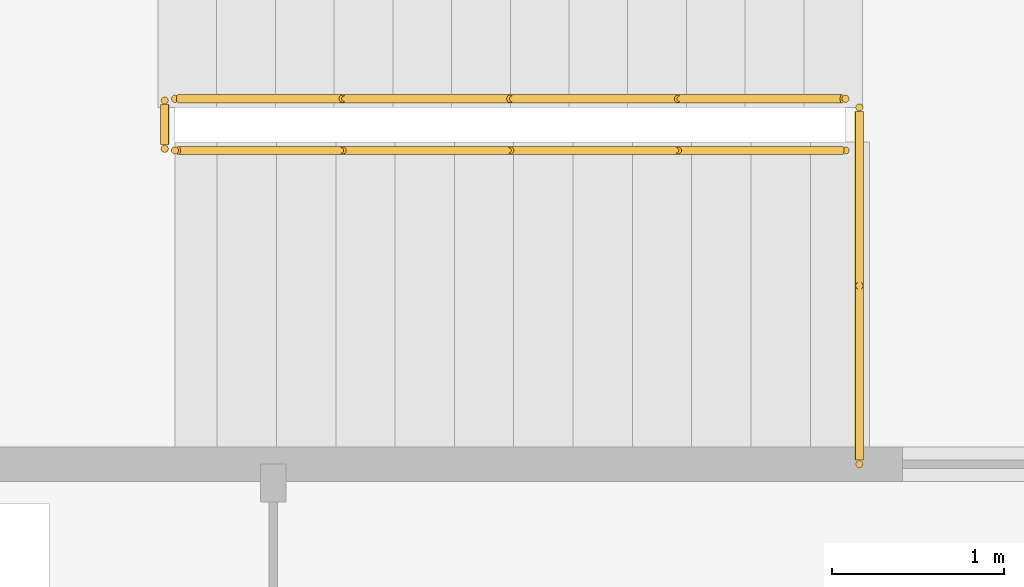
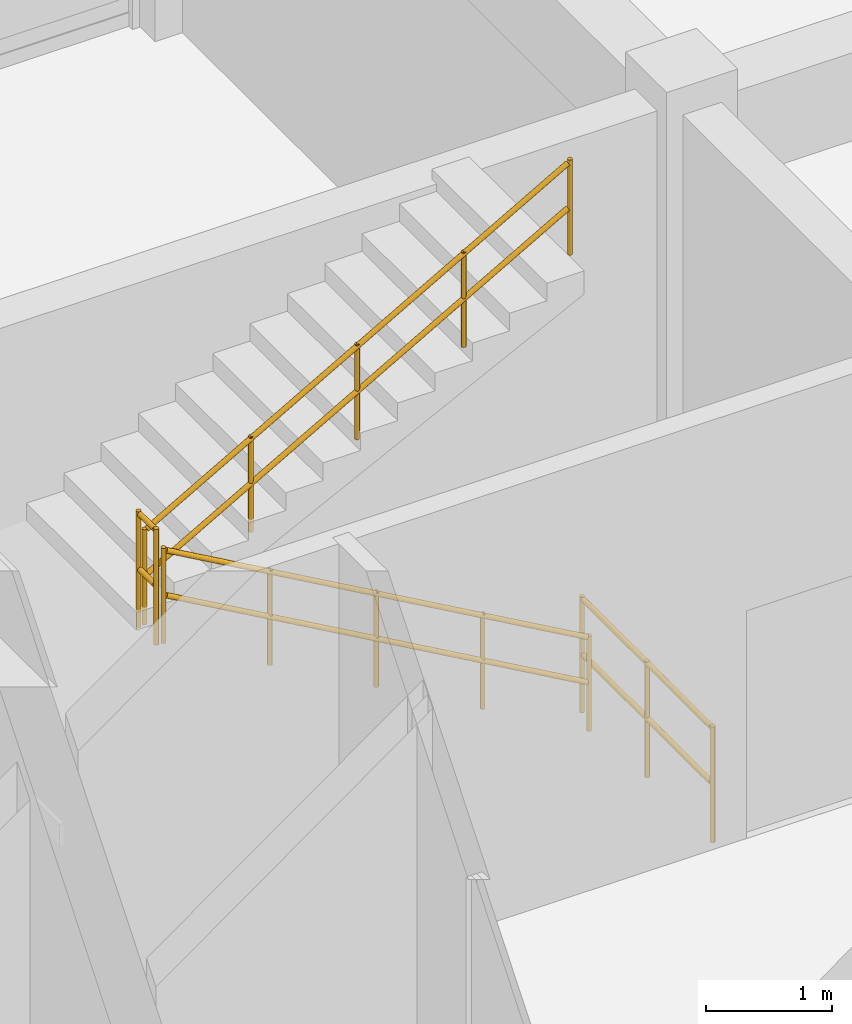
# One storey, part 67 of 70: 4 railings.
"""IFC4 building model written with IfcOpenShell, lengths in metres."""

import ifcopenshell
import ifcopenshell.guid

model = None  # the IFC model being written
_history = None  # IfcOwnerHistory: only IFC2X3 demands one
_inside = {}  # id of a spatial element -> (the spatial element, [elements in it])
_under = {}  # id of a project, library or spatial element -> (it, [spatial elements below it])
_declared = {}  # id of a project -> (the project, [libraries it declares])
_typed = {}  # id of a type object -> (the type object, [elements of that type])
_made_of = {}  # id of a material, layer set ... -> (it, [elements and type objects made of it])


def new_model(schema):
    """Start an empty IFC model of exactly this schema.

    Asked for "IFC4X3", IfcOpenShell would pick the latest addendum, in which some entities
    have other attributes; the version numbers below select the first issue.
    IFC2X3 requires an IfcOwnerHistory on every rooted entity: one is made here for all.
    """
    global model, _history
    if schema == "IFC4X3":
        model = ifcopenshell.file(schema_version=(4, 3, 0, 0))
    else:
        model = ifcopenshell.file(schema=schema)
    _inside.clear()
    _under.clear()
    _declared.clear()
    _typed.clear()
    _made_of.clear()
    _history = None
    if model.schema == "IFC2X3":
        org = make("IfcOrganization", Name="unknown")
        user = make(
            "IfcPersonAndOrganization",
            ThePerson=make("IfcPerson", FamilyName="unknown"),
            TheOrganization=org,
        )
        app = make(
            "IfcApplication",
            ApplicationDeveloper=org,
            Version="unknown",
            ApplicationFullName="unknown",
            ApplicationIdentifier="unknown",
        )
        _history = make(
            "IfcOwnerHistory",
            OwningUser=user,
            OwningApplication=app,
            ChangeAction="ADDED",
            CreationDate=0,
        )
    return model


def make(cls, **values):
    """One entity of the class cls with the attributes given. An attribute that is None is left unset."""
    return model.create_entity(
        cls, **{name: value for name, value in values.items() if value is not None}
    )


def rooted(cls, **values):
    """An entity with a GlobalId (a new one), such as an element, a storey or a relation."""
    return make(cls, GlobalId=ifcopenshell.guid.new(), OwnerHistory=_history, **values)


def si_unit(unit_type, name, prefix=None):
    """IfcSIUnit, for example si_unit("LENGTHUNIT", "METRE", prefix="MILLI")."""
    return make("IfcSIUnit", UnitType=unit_type, Prefix=prefix, Name=name)


def assignment(units):
    """IfcUnitAssignment: the units of a project."""
    return None if units is None else make("IfcUnitAssignment", Units=units)


def point(xyz):
    """IfcCartesianPoint."""
    return None if xyz is None else make("IfcCartesianPoint", Coordinates=xyz)


def direction(xyz):
    """IfcDirection."""
    return None if xyz is None else make("IfcDirection", DirectionRatios=xyz)


def frame(location, z_axis=None, x_axis=None):
    """IfcAxis2Placement3D, a coordinate frame: its origin and axes. An axis left out is left unset."""
    return make(
        "IfcAxis2Placement3D",
        Location=point(location),
        Axis=direction(z_axis),
        RefDirection=direction(x_axis),
    )


def frame_2d(location, x_axis=None):
    """IfcAxis2Placement2D, a coordinate frame in the plane: its origin and x axis."""
    return make(
        "IfcAxis2Placement2D", Location=point(location), RefDirection=direction(x_axis)
    )


def origin():
    """The frame at (0, 0, 0) with its axes left unset."""
    return frame((0.0, 0.0, 0.0))


def origin_2d():
    """The frame at (0, 0) in the plane with its x axis left unset."""
    return frame_2d((0.0, 0.0))


def place(relative_to, where):
    """IfcLocalPlacement: puts the frame where relative to a parent placement (None: the world)."""
    return make(
        "IfcLocalPlacement", PlacementRelTo=relative_to, RelativePlacement=where
    )


def context(
    kind, dimensions, precision=None, world=None, true_north=None, identifier=None
):
    """IfcGeometricRepresentationContext, for example the 3D "Model" context."""
    return make(
        "IfcGeometricRepresentationContext",
        ContextIdentifier=identifier,
        ContextType=kind,
        CoordinateSpaceDimension=dimensions,
        Precision=precision,
        WorldCoordinateSystem=world,
        TrueNorth=true_north,
    )


def subcontext(parent, identifier, kind, view, scale=None):
    """IfcGeometricRepresentationSubContext, for example "Body" below "Model"."""
    return make(
        "IfcGeometricRepresentationSubContext",
        ContextIdentifier=identifier,
        ContextType=kind,
        ParentContext=parent,
        TargetScale=scale,
        TargetView=view,
    )


def project(units=None, contexts=None):
    """IfcProject with its units and contexts."""
    return rooted(
        "IfcProject",
        Name="project",
        RepresentationContexts=contexts,
        UnitsInContext=assignment(units),
    )


def spatial(cls, under=None, at=None, **own):
    """A site, building, storey or space (cls), placed at a placement, below another one or the project."""
    s = rooted(cls, ObjectPlacement=at, **own)
    if under is not None:
        _under.setdefault(under.id(), (under, []))[1].append(s)
    return s


def profile(cls, at=None, kind="AREA", **sizes):
    """A parametric profile (cls). Its sizes go by their IFC names, for example OverallWidth=200.0."""
    return make(cls, ProfileType=kind, Position=at, **sizes)


def circle(**sizes):
    """IfcCircleProfileDef."""
    return profile("IfcCircleProfileDef", **sizes)


def extrude(swept, where, along, depth):
    """IfcExtrudedAreaSolid: the profile swept, set in the frame where, extruded along a direction by depth."""
    return make(
        "IfcExtrudedAreaSolid",
        SweptArea=swept,
        Position=where,
        ExtrudedDirection=direction(along),
        Depth=depth,
    )


def shape(context_of_items, identifier, shape_type, items):
    """IfcShapeRepresentation: the items that make up one representation, for example the "Body"."""
    return make(
        "IfcShapeRepresentation",
        ContextOfItems=context_of_items,
        RepresentationIdentifier=identifier,
        RepresentationType=shape_type,
        Items=items,
    )


def material(Name=None, Category=None):
    """IfcMaterial."""
    return make("IfcMaterial", Name=Name, Category=Category)


def made_of(thing, what):
    """Note that an element or type object is made of a material, layer set ...; save() writes the relation."""
    if what is not None:
        _made_of.setdefault(what.id(), (what, []))[1].append(thing)
    return thing


def type_object(cls, material=None, **own):
    """A type object (cls), such as IfcWallType, which elements share."""
    return made_of(rooted(cls, **own), material)


def element(
    cls,
    number,
    at=None,
    inside=None,
    cuts=None,
    type_object=None,
    material=None,
    context=None,
    identifier="Body",
    shape_type=None,
    held_by="IfcProductDefinitionShape",
    body=None,
    shapes=None,
    **own,
):
    """One element of the class cls, such as IfcWall. Its Tag is "e" and its number.

    at: its placement. inside: the storey or other place that contains it. cuts: it is an
    opening in that element (IfcRelVoidsElement). A single representation is given by context,
    identifier, shape_type and body (its items); several are given by shapes. held_by: the class
    of the entity that holds the representations. save() writes the other relations.
    """
    e = rooted(cls, Tag="e%d" % number, ObjectPlacement=at, **own)
    if body is not None:
        shapes = [shape(context, identifier, shape_type, body)]
    if shapes is not None:
        e.Representation = make(held_by, Representations=shapes)
    if inside is not None:
        _inside.setdefault(inside.id(), (inside, []))[1].append(e)
    if cuts is not None:
        rooted(
            "IfcRelVoidsElement", RelatingBuildingElement=cuts, RelatedOpeningElement=e
        )
    if type_object is not None:
        _typed.setdefault(type_object.id(), (type_object, []))[1].append(e)
    return made_of(e, material)


def aggregate(whole, parts):
    """IfcRelAggregates: a whole, such as a stair, and the parts it consists of."""
    return rooted("IfcRelAggregates", RelatingObject=whole, RelatedObjects=parts)


def save(model, path):
    """Write the relations noted so far, then the file.

    IfcRelAggregates (storeys below a building ...), IfcRelContainedInSpatialStructure (elements
    in a storey), IfcRelDefinesByType, IfcRelAssociatesMaterial and IfcRelDeclares: one each for
    every whole, place, type object, material and project.
    """
    for whole, parts in _under.values():
        aggregate(whole, parts)
    for where, things in _inside.values():
        rooted(
            "IfcRelContainedInSpatialStructure",
            RelatedElements=things,
            RelatingStructure=where,
        )
    for kind, things in _typed.values():
        rooted("IfcRelDefinesByType", RelatedObjects=things, RelatingType=kind)
    for what, things in _made_of.values():
        rooted("IfcRelAssociatesMaterial", RelatedObjects=things, RelatingMaterial=what)
    for by, libraries in _declared.values():
        rooted("IfcRelDeclares", RelatingContext=by, RelatedDefinitions=libraries)
    model.write(path)


model = new_model("IFC4")

# Units and contexts
model_context = context("Model", 3, precision=1e-05, world=origin(), true_north=direction((0.0, 1.0)))
body_context = subcontext(model_context, "Body", "Model", "MODEL_VIEW")
ifc_project = project(units=[si_unit("LENGTHUNIT", "METRE"), si_unit("AREAUNIT", "SQUARE_METRE"), si_unit("VOLUMEUNIT", "CUBIC_METRE"), si_unit("PLANEANGLEUNIT", "RADIAN"), si_unit("MASSUNIT", "GRAM", prefix="KILO")], contexts=[model_context])

# Site, building, storey
site_placement = place(None, origin())
site = spatial("IfcSite", under=ifc_project, at=site_placement, CompositionType="ELEMENT")
building_placement = place(site_placement, origin())
building = spatial("IfcBuilding", under=site, at=building_placement, Name="Vaudrelin Polytechnic", CompositionType="ELEMENT")
storey_placement = place(building_placement, frame((0.0, 0.0, 14.110107421875)))
storey = spatial("IfcBuildingStorey", under=building, at=storey_placement, Name="L03", CompositionType="ELEMENT", Elevation=14.110107421875)

# Railings
ifc_material = material(Name="Brushed stainless steel AISI 304", Category="steel")
railing_type_1 = type_object("IfcRailingType", Name="RAL-GR-INT", PredefinedType="GUARDRAIL", material=ifc_material)
railing_1_placement = place(storey_placement, frame((119.47998046875, 109.409912109375, 0.0)))
element("IfcRailing", 1, at=railing_1_placement, inside=storey, type_object=railing_type_1, Name="ST-10-L02 upper well guardrail", PredefinedType="GUARDRAIL", context=body_context, shape_type="SweptSolid", body=[
    extrude(circle(Radius=0.02392578125, at=origin_2d()), frame((0.0, 0.023193359375, 1.09619140625), z_axis=(0.0, 1.0, 0.0), x_axis=(-1.0, 0.0, 0.0)), (0.0, 0.0, 1.0), 2.02392578125),
    extrude(circle(Radius=0.02392578125, at=origin_2d()), frame((0.0, 0.023193359375, 0.56005859375), z_axis=(0.0, 1.0, 0.0), x_axis=(-1.0, 0.0, 0.0)), (0.0, 0.0, 1.0), 2.02392578125),
    extrude(circle(Radius=0.02099609375, at=origin_2d()), origin(), (0.0, 0.0, 1.0), 1.1201171875),
    extrude(circle(Radius=0.02099609375, at=origin_2d()), frame((0.0, 1.03515625, 0.0)), (0.0, 0.0, 1.0), 1.1201171875),
    extrude(circle(Radius=0.02099609375, at=origin_2d()), frame((0.0, 2.070068359375, 0.0)), (0.0, 0.0, 1.0), 1.1201171875),
])
railing_2_placement = place(storey_placement, frame((115.449951171875, 111.239990234375, 2.2099609375)))
element("IfcRailing", 2, at=railing_2_placement, inside=storey, type_object=railing_type_1, Name="ST-10-L03 landing well guardrail", PredefinedType="GUARDRAIL", context=body_context, shape_type="SweptSolid", body=[
    extrude(circle(Radius=0.02392578125, at=origin_2d()), frame((0.0, 0.023193359375, 1.09619140625), z_axis=(0.0, 1.0, 0.0), x_axis=(-1.0, 0.0, 0.0)), (0.0, 0.0, 1.0), 0.23388671875),
    extrude(circle(Radius=0.02392578125, at=origin_2d()), frame((0.0, 0.023193359375, 0.56005859375), z_axis=(0.0, 1.0, 0.0), x_axis=(-1.0, 0.0, 0.0)), (0.0, 0.0, 1.0), 0.23388671875),
    extrude(circle(Radius=0.02099609375, at=origin_2d()), origin(), (0.0, 0.0, 1.0), 1.1201171875),
    extrude(circle(Radius=0.02099609375, at=origin_2d()), frame((0.0, 0.280029296875, 0.0)), (0.0, 0.0, 1.0), 1.1201171875),
])
railing_type_2 = type_object("IfcRailingType", Name="RAL-HR-STR", PredefinedType="HANDRAIL", material=ifc_material)
railing_3_placement = place(storey_placement, frame((119.39990234375, 111.22998046875, 0.0)))
element("IfcRailing", 3, at=railing_3_placement, inside=storey, type_object=railing_type_2, Name="ST-10-L03 flight 1 handrail", PredefinedType="HANDRAIL", context=body_context, shape_type="SweptSolid", body=[
    extrude(circle(Radius=0.02392578125, at=origin_2d()), frame((-0.02001953125, 0.0, 0.9072265625), z_axis=(-0.86947626696, 0.0, 0.493974717161), x_axis=(0.0, -1.0, 0.0)), (0.0, 0.0, 1.0), 4.427734375),
    extrude(circle(Radius=0.02392578125, at=origin_2d()), frame((-0.02001953125, 0.0, 0.471435546875), z_axis=(-0.86947626696, 0.0, 0.493974717161), x_axis=(0.0, -1.0, 0.0)), (0.0, 0.0, 1.0), 4.427734375),
    extrude(circle(Radius=0.02099609375, at=origin_2d()), origin(), (0.0, 0.0, 1.0), 0.919921875),
    extrude(circle(Radius=0.02099609375, at=origin_2d()), frame((-0.972412109375, 0.0, 0.552490234375)), (0.0, 0.0, 1.0), 0.919921875),
    extrude(circle(Radius=0.02099609375, at=origin_2d()), frame((-1.94482421875, 0.0, 1.10498046875)), (0.0, 0.0, 1.0), 0.919921875),
    extrude(circle(Radius=0.02099609375, at=origin_2d()), frame((-2.91748046875, 0.0, 1.657470703125)), (0.0, 0.0, 1.0), 0.919921875),
    extrude(circle(Radius=0.02099609375, at=origin_2d()), frame((-3.889892578125, 0.0, 2.2099609375)), (0.0, 0.0, 1.0), 0.919921875),
])
railing_4_placement = place(storey_placement, frame((115.510009765625, 111.530029296875, 2.2099609375)))
element("IfcRailing", 4, at=railing_4_placement, inside=storey, type_object=railing_type_2, Name="ST-10-L03 flight 2 handrail", PredefinedType="HANDRAIL", context=body_context, shape_type="SweptSolid", body=[
    extrude(circle(Radius=0.02392578125, at=origin_2d()), frame((0.02001953125, 0.0, 0.9072265625), z_axis=(0.86947626696, 0.0, 0.493974717161), x_axis=(0.0, 1.0, 0.0)), (0.0, 0.0, 1.0), 4.427734375),
    extrude(circle(Radius=0.02392578125, at=origin_2d()), frame((0.02001953125, 0.0, 0.471435546875), z_axis=(0.86947626696, 0.0, 0.493974717161), x_axis=(0.0, 1.0, 0.0)), (0.0, 0.0, 1.0), 4.427734375),
    extrude(circle(Radius=0.02099609375, at=origin_2d()), origin(), (0.0, 0.0, 1.0), 0.919921875),
    extrude(circle(Radius=0.02099609375, at=origin_2d()), frame((0.972412109375, 0.0, 0.552490234375)), (0.0, 0.0, 1.0), 0.919921875),
    extrude(circle(Radius=0.02099609375, at=origin_2d()), frame((1.94482421875, 0.0, 1.10498046875)), (0.0, 0.0, 1.0), 0.919921875),
    extrude(circle(Radius=0.02099609375, at=origin_2d()), frame((2.91748046875, 0.0, 1.657470703125)), (0.0, 0.0, 1.0), 0.919921875),
    extrude(circle(Radius=0.02099609375, at=origin_2d()), frame((3.889892578125, 0.0, 2.2099609375)), (0.0, 0.0, 1.0), 0.919921875),
])

save(model, "model.ifc")
